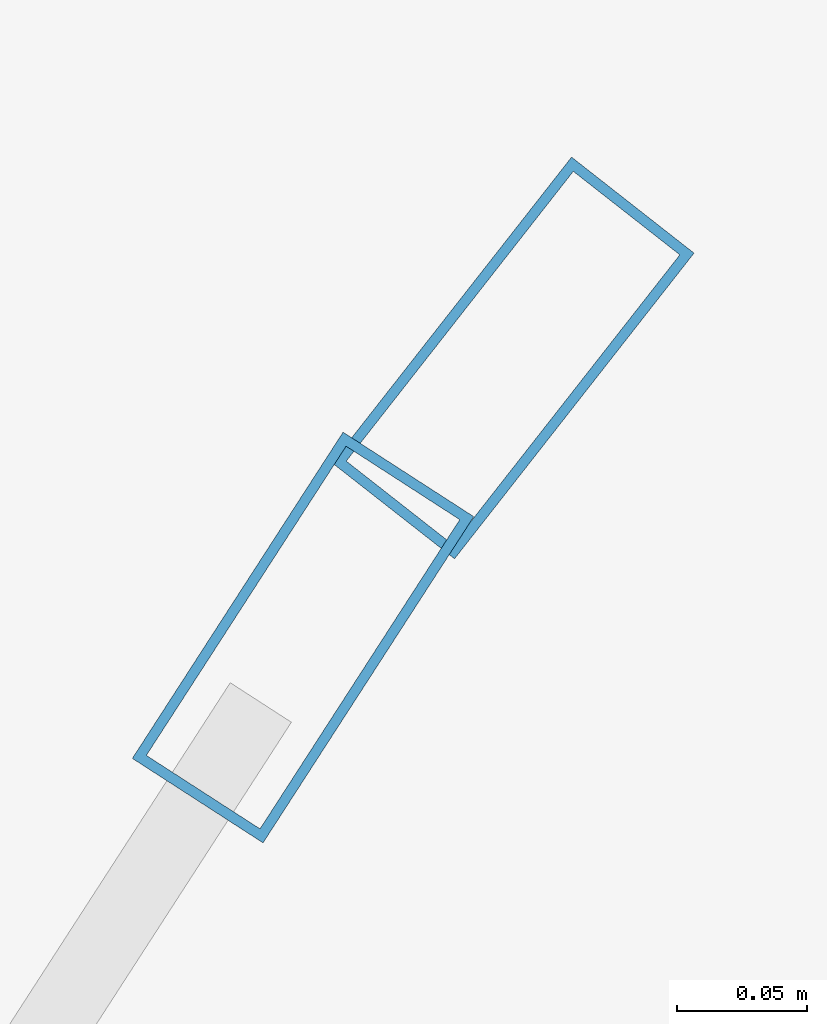
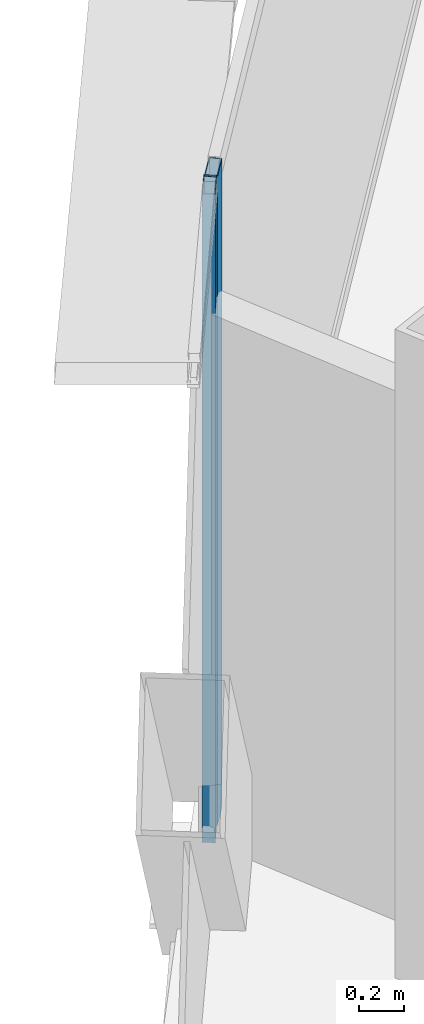
# One storey, part 18 of 37: 2 members, 2 elements without a shape of their own.
"""IFC4 building model written with IfcOpenShell, lengths in metres."""

from ifc_helpers import new_model, si_unit, direction, frame, origin, origin_2d, place, context, subcontext, project, spatial, hollow_rectangle, extrude, source, transform, mapped, material, layer, layer_set, material_profile, profile_set, type_object, element, aggregate, save


model = new_model("IFC4")

# Units and contexts
model_context = context("Model", 3, precision=1e-05, world=origin(), true_north=direction((0.0, 1.0)))
body_context = subcontext(model_context, "Body", "Model", "MODEL_VIEW")
ifc_project = project(units=[si_unit("LENGTHUNIT", "METRE"), si_unit("AREAUNIT", "SQUARE_METRE"), si_unit("VOLUMEUNIT", "CUBIC_METRE"), si_unit("PLANEANGLEUNIT", "RADIAN"), si_unit("MASSUNIT", "GRAM", prefix="KILO"), si_unit("THERMODYNAMICTEMPERATUREUNIT", "KELVIN"), si_unit("POWERUNIT", "WATT")], contexts=[model_context])

# Site, building, storey
site_placement = place(None, origin())
site = spatial("IfcSite", under=ifc_project, at=site_placement, CompositionType="ELEMENT")
building_placement = place(site_placement, origin())
building = spatial("IfcBuilding", under=site, at=building_placement, Name="Yunzhuo Pagoda Commons", CompositionType="ELEMENT")
storey_placement = place(building_placement, frame((0.0, 0.0, 207.56005859375)))
storey = spatial("IfcBuildingStorey", under=building, at=storey_placement, Name="L52", CompositionType="ELEMENT", Elevation=207.56005859375)

# Curtain wall, member
ifc_material = material(Name="Anodized aluminium 6063-T6", Category="aluminium")
ifc_layer = layer(ifc_material, 0.14990234375)
ifc_layer_set = layer_set([ifc_layer], Name="Anodized aluminium 6063-T6")
curtain_wall_type = type_object("IfcCurtainWallType", Name="CW-MID Mid-Zone Ribbon Curtain Wall", PredefinedType="NOTDEFINED", material=ifc_layer_set)
curtain_wall_1_placement = place(storey_placement, origin())
curtain_wall_1 = element("IfcCurtainWall", 1, at=curtain_wall_1_placement, inside=storey, type_object=curtain_wall_type, Name="L52 curtain wall CW-L52-F3B2", PredefinedType="NOTDEFINED")
ifc_material_profile = material_profile(ifc_material, hollow_rectangle(XDim=0.06005859375, YDim=0.14990234375, WallThickness=0.00390625, at=origin_2d()), Name="Anodized aluminium 6063-T6")
ifc_profile_set = profile_set([ifc_material_profile], Name="Anodized aluminium 6063-T6")
member_type = type_object("IfcMemberType", Name="CW-MID-M Mullion RHS 150x60x4", PredefinedType="MULLION", material=ifc_profile_set)
shared_shape = source(origin(), body_context, "Body", "SweptSolid", [
    extrude(hollow_rectangle(XDim=0.06005859375, YDim=0.14990234375, WallThickness=0.00390625, at=origin_2d()), origin(), (0.0, 0.0, 1.0), 3.5400390625),
])
member_1_placement = place(storey_placement, frame((32.552001953125, 68.3349609375, 0.0), z_axis=(0.0, 0.0, 1.0), x_axis=(0.839965077478, -0.542640459805, 0.0)))
member_1 = element("IfcMember", 2, at=member_1_placement, type_object=member_type, Name="CW mullion 1", PredefinedType="MULLION", context=body_context, shape_type="MappedRepresentation", body=[
    mapped(shared_shape, transform((0.0, 0.0, 0.0), scale=1.0)),
])
aggregate(curtain_wall_1, [member_1])

curtain_wall_2_placement = place(storey_placement, origin())
curtain_wall_2 = element("IfcCurtainWall", 3, at=curtain_wall_2_placement, inside=storey, type_object=curtain_wall_type, Name="L52 curtain wall CW-L52-F3B1", PredefinedType="NOTDEFINED")
member_2_placement = place(storey_placement, frame((32.633056640625, 68.44287109375, 0.0), z_axis=(0.0, 0.0, 1.0), x_axis=(0.787150021946, -0.616761577071, 0.0)))
member_2 = element("IfcMember", 4, at=member_2_placement, type_object=member_type, Name="CW mullion 2", PredefinedType="MULLION", context=body_context, shape_type="MappedRepresentation", body=[
    mapped(shared_shape, transform((0.0, 0.0, 0.0), scale=1.0)),
])
aggregate(curtain_wall_2, [member_2])

save(model, "model.ifc")
